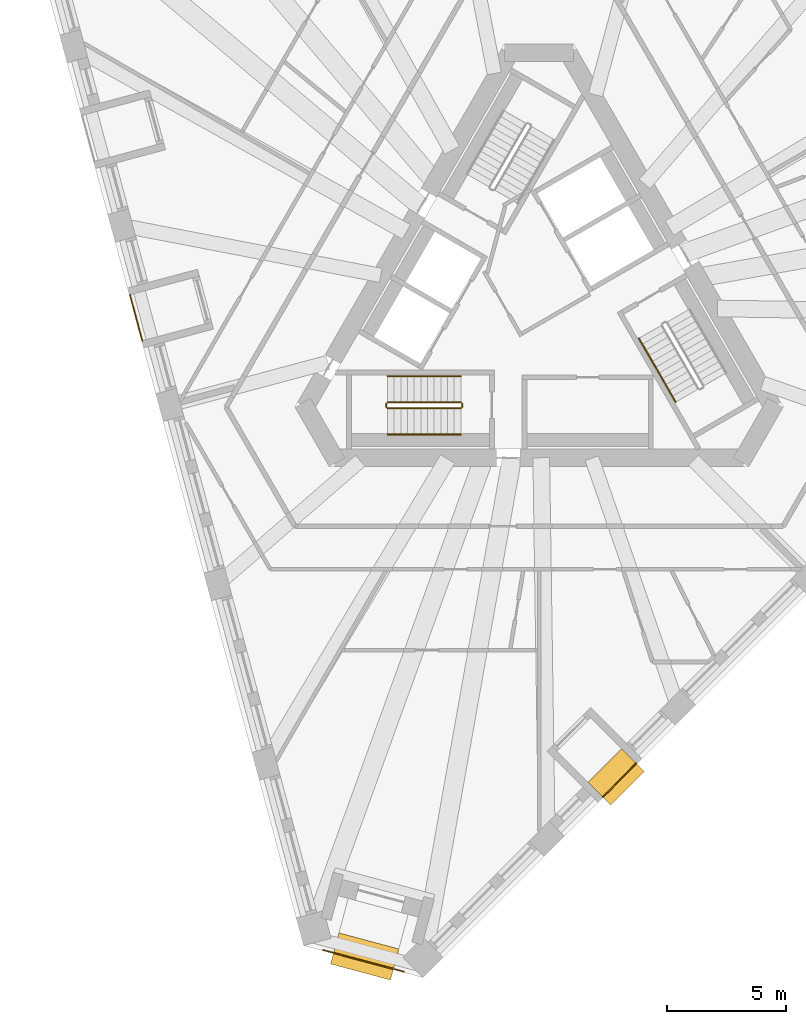
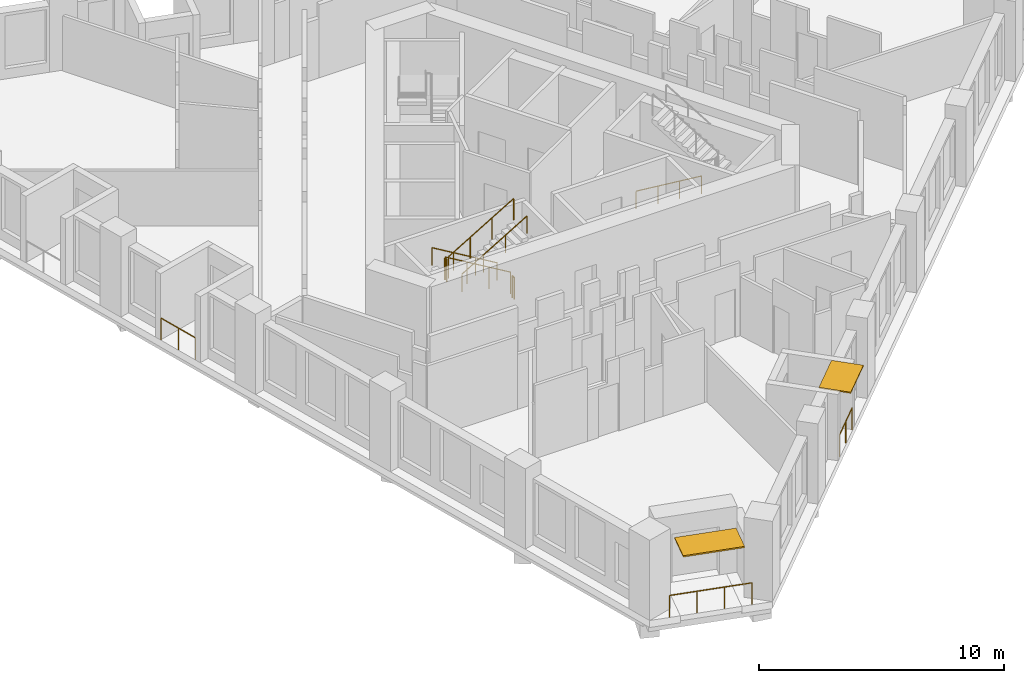
# One storey, part 10 of 13: 10 railings, 2 shading devices.
"""IFC4 building model written with IfcOpenShell, lengths in metres."""

from ifc_helpers import new_model, si_unit, direction, frame, origin, origin_2d, place, context, subcontext, project, spatial, rectangle, circle, extrude, material, layer, layer_set, type_object, element, save


model = new_model("IFC4")

# Units and contexts
model_context = context("Model", 3, precision=1e-05, world=origin(), true_north=direction((0.0, 1.0)))
body_context = subcontext(model_context, "Body", "Model", "MODEL_VIEW")
ifc_project = project(units=[si_unit("LENGTHUNIT", "METRE"), si_unit("AREAUNIT", "SQUARE_METRE"), si_unit("VOLUMEUNIT", "CUBIC_METRE"), si_unit("PLANEANGLEUNIT", "RADIAN"), si_unit("MASSUNIT", "GRAM", prefix="KILO")], contexts=[model_context])

# Site, building, storey
site_placement = place(None, origin())
site = spatial("IfcSite", under=ifc_project, at=site_placement, CompositionType="ELEMENT")
building_placement = place(site_placement, origin())
building = spatial("IfcBuilding", under=site, at=building_placement, Name="Tramontana Tower", CompositionType="ELEMENT")
storey_placement = place(building_placement, frame((0.0, 0.0, 208.0)))
storey = spatial("IfcBuildingStorey", under=building, at=storey_placement, Name="L48", CompositionType="ELEMENT", Elevation=208.0)

# Railings
ifc_material_1 = material(Name="Laminated glass balustrade", Category="glass")
railing_type_1 = type_object("IfcRailingType", Name="GD1 Loggia glass balustrade 1100", PredefinedType="BALUSTRADE", material=ifc_material_1)
railing_1_placement = place(storey_placement, frame((-17.176025390625, 0.466552734375, 0.0)))
element("IfcRailing", 1, at=railing_1_placement, inside=storey, type_object=railing_type_1, Name="Loggia balustrade L48 G5S0.7", PredefinedType="BALUSTRADE", context=body_context, shape_type="SweptSolid", body=[
    extrude(circle(Radius=0.02392578125, at=origin_2d()), frame((0.0, 0.0, 1.076171875), z_axis=(0.258803270362, -0.96593005298, 0.0), x_axis=(0.96593005298, 0.258803270362, 0.0)), (0.0, 0.0, 1.0), 1.998046875),
    extrude(circle(Radius=0.02099609375, at=origin_2d()), origin(), (0.0, 0.0, 1.0), 1.052001953125),
    extrude(circle(Radius=0.02099609375, at=origin_2d()), frame((0.258544921875, -0.96484375, 0.0)), (0.0, 0.0, 1.0), 1.052001953125),
    extrude(circle(Radius=0.02099609375, at=origin_2d()), frame((0.51708984375, -1.929931640625, 0.0)), (0.0, 0.0, 1.0), 1.052001953125),
])
railing_2_placement = place(storey_placement, frame((2.672607421875, -20.619384765625, 0.0)))
element("IfcRailing", 2, at=railing_2_placement, inside=storey, type_object=railing_type_1, Name="Loggia balustrade L48 G5S1.4", PredefinedType="BALUSTRADE", context=body_context, shape_type="SweptSolid", body=[
    extrude(circle(Radius=0.02392578125, at=origin_2d()), frame((0.0, 0.0, 1.076171875), z_axis=(0.707106781187, 0.707106781187, 0.0), x_axis=(-0.707106781187, 0.707106781187, 0.0)), (0.0, 0.0, 1.0), 1.998046875),
    extrude(circle(Radius=0.02099609375, at=origin_2d()), origin(), (0.0, 0.0, 1.0), 1.052001953125),
    extrude(circle(Radius=0.02099609375, at=origin_2d()), frame((0.70654296875, 0.70654296875, 0.0)), (0.0, 0.0, 1.0), 1.052001953125),
    extrude(circle(Radius=0.02099609375, at=origin_2d()), frame((1.412841796875, 1.412841796875, 0.0)), (0.0, 0.0, 1.0), 1.052001953125),
])
railing_3_placement = place(storey_placement, frame((-5.67822265625, -27.952880859375, 0.0)))
element("IfcRailing", 3, at=railing_3_placement, inside=storey, type_object=railing_type_1, Name="Corner loggia balustrade L48 K51", PredefinedType="BALUSTRADE", context=body_context, shape_type="SweptSolid", body=[
    extrude(circle(Radius=0.02392578125, at=origin_2d()), frame((0.0, 0.0, 1.076171875), z_axis=(-0.965913486506, 0.258865093408, 0.0), x_axis=(-0.258865093408, -0.965913486506, 0.0)), (0.0, 0.0, 1.0), 3.5),
    extrude(circle(Radius=0.02099609375, at=origin_2d()), origin(), (0.0, 0.0, 1.0), 1.052001953125),
    extrude(circle(Radius=0.02099609375, at=origin_2d()), frame((-1.126953125, 0.302001953125, 0.0)), (0.0, 0.0, 1.0), 1.052001953125),
    extrude(circle(Radius=0.02099609375, at=origin_2d()), frame((-2.253662109375, 0.60400390625, 0.0)), (0.0, 0.0, 1.0), 1.052001953125),
    extrude(circle(Radius=0.02099609375, at=origin_2d()), frame((-3.380615234375, 0.906005859375, 0.0)), (0.0, 0.0, 1.0), 1.052001953125),
])

# Shading devices
ifc_material_2 = material(Name="Precast concrete 60 MPa", Category="concrete")
ifc_layer_1 = layer(ifc_material_2, 0.06005859375)
ifc_layer_set_1 = layer_set([ifc_layer_1], Name="SS1 Stone sunshade blade 60")
shading_device_type_1 = type_object("IfcShadingDeviceType", Name="SS1 Stone sunshade blade 60", PredefinedType="USERDEFINED", material=ifc_layer_set_1)
shading_device_1_placement = place(storey_placement, frame((3.2412109375, -19.775146484375, 3.239990234375), z_axis=(0.0, 0.0, 1.0), x_axis=(0.707106781187, 0.707106781187, 0.0)))
element("IfcShadingDevice", 4, at=shading_device_1_placement, inside=storey, type_object=shading_device_type_1, Name="Sunshade L48 G5S1.4", ObjectType="SUNSHADE", PredefinedType="USERDEFINED", context=body_context, shape_type="SweptSolid", body=[
    extrude(rectangle(XDim=1.998046875, YDim=1.35009765625, at=origin_2d()), origin(), (0.0, 0.0, 1.0), 0.06005859375),
])
ifc_material_3 = material(Name="Precast concrete 60 MPa", Category="concrete")
ifc_layer_2 = layer(ifc_material_3, 0.070068359375)
ifc_layer_set_2 = layer_set([ifc_layer_2], Name="SS2 Stone sunshade blade 70")
shading_device_type_2 = type_object("IfcShadingDeviceType", Name="SS2 Stone sunshade blade 70", PredefinedType="USERDEFINED", material=ifc_layer_set_2)
shading_device_2_placement = place(storey_placement, frame((-7.318115234375, -27.3115234375, 3.22998046875), z_axis=(0.0, 0.0, 1.0), x_axis=(-0.965925826289, 0.258819045103, 0.0)))
element("IfcShadingDevice", 5, at=shading_device_2_placement, inside=storey, type_object=shading_device_type_2, Name="Corner sunshade L48 K51", ObjectType="SUNSHADE", PredefinedType="USERDEFINED", context=body_context, shape_type="SweptSolid", body=[
    extrude(rectangle(XDim=2.60009765625, YDim=1.35009765625, at=origin_2d()), origin(), (0.0, 0.0, 1.0), 0.070068359375),
])

# Railings
ifc_material_4 = material(Name="Painted steel", Category="steel")
railing_type_2 = type_object("IfcRailingType", Name="STAIR GUARD 1100", PredefinedType="GUARDRAIL", material=ifc_material_4)
railing_4_placement = place(storey_placement, frame((-3.280029296875, -4.050048828125, 0.166748046875)))
element("IfcRailing", 6, at=railing_4_placement, inside=storey, type_object=railing_type_2, Name="L48 ST2 stair guard 1", PredefinedType="GUARDRAIL", context=body_context, shape_type="SweptSolid", body=[
    extrude(circle(Radius=0.02392578125, at=origin_2d()), frame((0.0, 0.0, 1.076171875), z_axis=(-0.859308565015, 0.0, 0.511457515432), x_axis=(0.0, -1.0, 0.0)), (0.0, 0.0, 1.0), 3.58447265625),
    extrude(circle(Radius=0.02099609375, at=origin_2d()), origin(), (0.0, 0.0, 1.0), 1.052001953125),
    extrude(circle(Radius=0.02099609375, at=origin_2d()), frame((-1.026611328125, 0.0, 0.611083984375)), (0.0, 0.0, 1.0), 1.052001953125),
    extrude(circle(Radius=0.02099609375, at=origin_2d()), frame((-2.053466796875, 0.0, 1.22216796875)), (0.0, 0.0, 1.0), 1.052001953125),
    extrude(circle(Radius=0.02099609375, at=origin_2d()), frame((-3.080078125, 0.0, 1.833251953125)), (0.0, 0.0, 1.0), 1.052001953125),
])
railing_5_placement = place(storey_placement, frame((-6.360107421875, -4.300048828125, 2.166748046875)))
element("IfcRailing", 7, at=railing_5_placement, inside=storey, type_object=railing_type_2, Name="L48 ST2 stair guard 2", PredefinedType="GUARDRAIL", context=body_context, shape_type="SweptSolid", body=[
    extrude(circle(Radius=0.02392578125, at=origin_2d()), frame((0.0, 0.0, 1.076171875), z_axis=(0.859308565015, 0.0, 0.511457515432), x_axis=(0.0, 1.0, 0.0)), (0.0, 0.0, 1.0), 3.58447265625),
    extrude(circle(Radius=0.02099609375, at=origin_2d()), origin(), (0.0, 0.0, 1.0), 1.052001953125),
    extrude(circle(Radius=0.02099609375, at=origin_2d()), frame((1.026611328125, 0.0, 0.611083984375)), (0.0, 0.0, 1.0), 1.052001953125),
    extrude(circle(Radius=0.02099609375, at=origin_2d()), frame((2.053466796875, 0.0, 1.22216796875)), (0.0, 0.0, 1.0), 1.052001953125),
    extrude(circle(Radius=0.02099609375, at=origin_2d()), frame((3.080078125, 0.0, 1.833251953125)), (0.0, 0.0, 1.0), 1.052001953125),
])
for number, where, name in (
    (8, (-6.409912109375, -4.10009765625, 2.0), "L48 ST2 stair guard 3"),
    (9, (-3.22998046875, -4.10009765625, 0.0), "L48 ST2 stair guard 4"),
):
    element("IfcRailing", number, at=place(storey_placement, frame(where)), inside=storey, type_object=railing_type_2, Name=name, PredefinedType="GUARDRAIL", context=body_context, shape_type="SweptSolid", body=[
        extrude(circle(Radius=0.02392578125, at=origin_2d()), frame((0.0, 0.0, 1.076171875), z_axis=(0.0, -1.0, 0.0), x_axis=(1.0, 0.0, 0.0)), (0.0, 0.0, 1.0), 0.14990234375),
        extrude(circle(Radius=0.02099609375, at=origin_2d()), origin(), (0.0, 0.0, 1.0), 1.052001953125),
        extrude(circle(Radius=0.02099609375, at=origin_2d()), frame((0.0, -0.14990234375, 0.0)), (0.0, 0.0, 1.0), 1.052001953125),
    ])
ifc_material_5 = material(Name="Painted steel", Category="steel")
railing_type_3 = type_object("IfcRailingType", Name="STAIR HANDRAIL 900", PredefinedType="HANDRAIL", material=ifc_material_5)
railing_6_placement = place(storey_placement, frame((-3.280029296875, -2.949951171875, 0.166748046875)))
element("IfcRailing", 10, at=railing_6_placement, inside=storey, type_object=railing_type_3, Name="L48 ST2 stair handrail 1", PredefinedType="HANDRAIL", context=body_context, shape_type="SweptSolid", body=[
    extrude(circle(Radius=0.02392578125, at=origin_2d()), frame((0.0, 0.0, 0.8759765625), z_axis=(-0.859308565015, 0.0, 0.511457515432), x_axis=(0.0, -1.0, 0.0)), (0.0, 0.0, 1.0), 3.58447265625),
    extrude(circle(Radius=0.02099609375, at=origin_2d()), origin(), (0.0, 0.0, 1.0), 0.851806640625),
    extrude(circle(Radius=0.02099609375, at=origin_2d()), frame((-1.026611328125, 0.0, 0.611083984375)), (0.0, 0.0, 1.0), 0.851806640625),
    extrude(circle(Radius=0.02099609375, at=origin_2d()), frame((-2.053466796875, 0.0, 1.22216796875)), (0.0, 0.0, 1.0), 0.851806640625),
    extrude(circle(Radius=0.02099609375, at=origin_2d()), frame((-3.080078125, 0.0, 1.833251953125)), (0.0, 0.0, 1.0), 0.851806640625),
])
railing_7_placement = place(storey_placement, frame((-6.360107421875, -5.39990234375, 2.166748046875)))
element("IfcRailing", 11, at=railing_7_placement, inside=storey, type_object=railing_type_3, Name="L48 ST2 stair handrail 2", PredefinedType="HANDRAIL", context=body_context, shape_type="SweptSolid", body=[
    extrude(circle(Radius=0.02392578125, at=origin_2d()), frame((0.0, 0.0, 0.8759765625), z_axis=(0.859308565015, 0.0, 0.511457515432), x_axis=(0.0, 1.0, 0.0)), (0.0, 0.0, 1.0), 3.58447265625),
    extrude(circle(Radius=0.02099609375, at=origin_2d()), origin(), (0.0, 0.0, 1.0), 0.851806640625),
    extrude(circle(Radius=0.02099609375, at=origin_2d()), frame((1.026611328125, 0.0, 0.611083984375)), (0.0, 0.0, 1.0), 0.851806640625),
    extrude(circle(Radius=0.02099609375, at=origin_2d()), frame((2.053466796875, 0.0, 1.22216796875)), (0.0, 0.0, 1.0), 0.851806640625),
    extrude(circle(Radius=0.02099609375, at=origin_2d()), frame((3.080078125, 0.0, 1.833251953125)), (0.0, 0.0, 1.0), 0.851806640625),
])
railing_8_placement = place(storey_placement, frame((4.19482421875, -1.365478515625, 0.166748046875)))
element("IfcRailing", 12, at=railing_8_placement, inside=storey, type_object=railing_type_3, Name="L48 ST3 stair handrail 1", PredefinedType="HANDRAIL", context=body_context, shape_type="SweptSolid", body=[
    extrude(circle(Radius=0.02392578125, at=origin_2d()), frame((0.0, 0.0, 0.8759765625), z_axis=(0.429649414936, -0.744189839504, 0.511451721109), x_axis=(0.866029832698, 0.499992328818, 0.0)), (0.0, 0.0, 1.0), 3.58447265625),
    extrude(circle(Radius=0.02099609375, at=origin_2d()), origin(), (0.0, 0.0, 1.0), 0.851806640625),
    extrude(circle(Radius=0.02099609375, at=origin_2d()), frame((0.513427734375, -0.88916015625, 0.611083984375)), (0.0, 0.0, 1.0), 0.851806640625),
    extrude(circle(Radius=0.02099609375, at=origin_2d()), frame((1.026611328125, -1.7783203125, 1.22216796875)), (0.0, 0.0, 1.0), 0.851806640625),
    extrude(circle(Radius=0.02099609375, at=origin_2d()), frame((1.5400390625, -2.66748046875, 1.833251953125)), (0.0, 0.0, 1.0), 0.851806640625),
])

save(model, "model.ifc")
